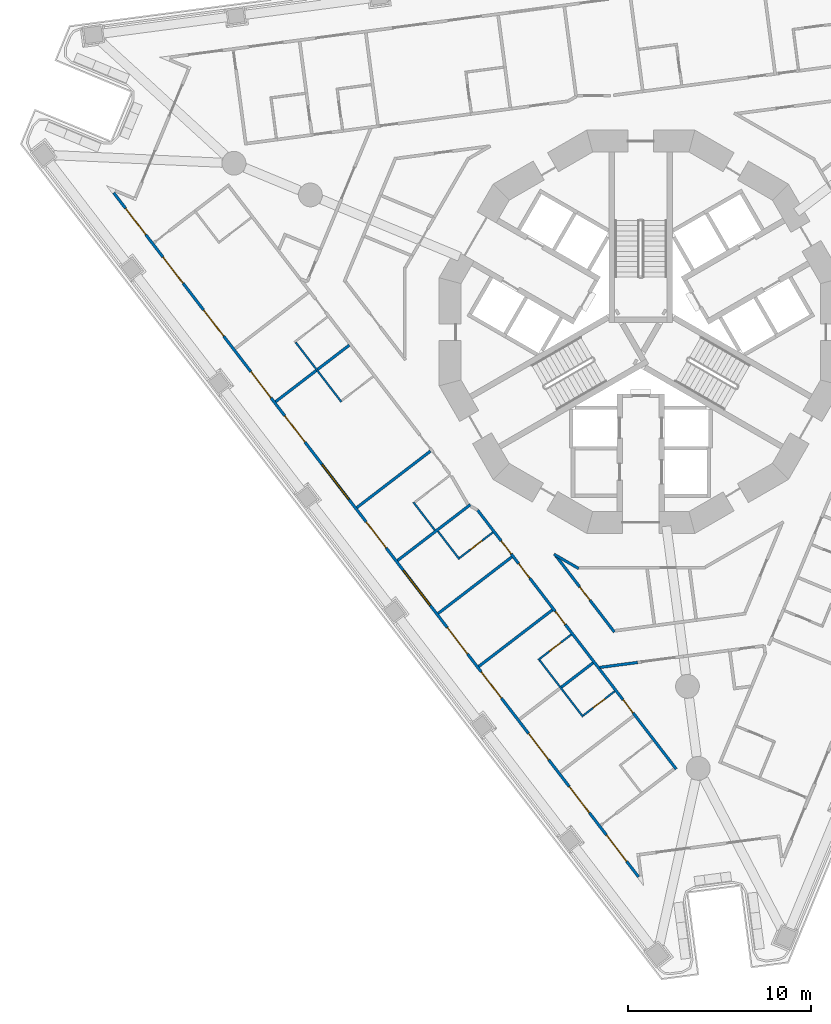
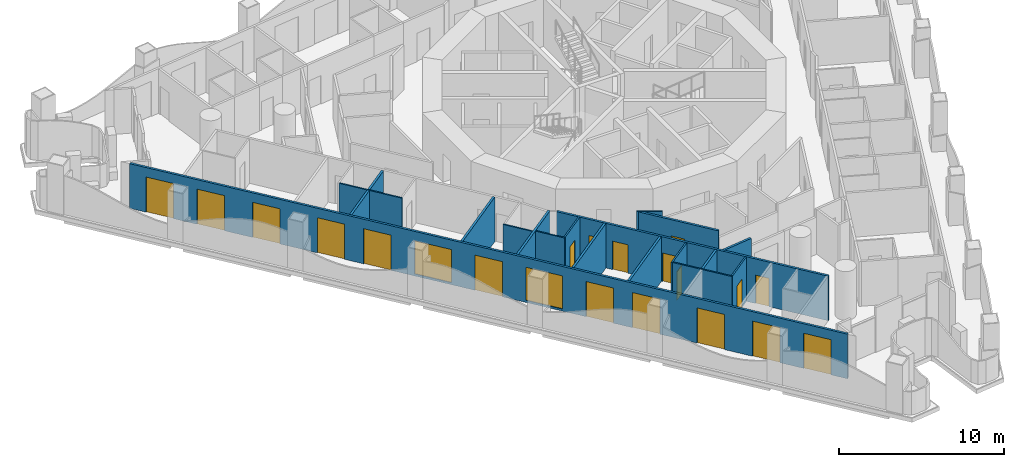
# One storey, part 2 of 19: 19 doors, 18 walls, 2 windows, 21 openings.
"""IFC4 building model written with IfcOpenShell, lengths in metres."""

from ifc_helpers import new_model, si_unit, direction, frame, frame_2d, origin, place, context, subcontext, project, spatial, polyline, rectangle, outline, extrude, material, layer, layer_set, type_object, element, fill, save


model = new_model("IFC4")

# Units and contexts
model_context = context("Model", 3, precision=1e-05, world=origin(), true_north=direction((0.0, 1.0)))
body_context = subcontext(model_context, "Body", "Model", "MODEL_VIEW")
ifc_project = project(units=[si_unit("LENGTHUNIT", "METRE"), si_unit("AREAUNIT", "SQUARE_METRE"), si_unit("VOLUMEUNIT", "CUBIC_METRE"), si_unit("PLANEANGLEUNIT", "RADIAN"), si_unit("MASSUNIT", "GRAM", prefix="KILO")], contexts=[model_context])

# Site, building, storey
site_placement = place(None, origin())
site = spatial("IfcSite", under=ifc_project, at=site_placement, CompositionType="ELEMENT")
building_placement = place(site_placement, origin())
building = spatial("IfcBuilding", under=site, at=building_placement, Name="Trine Commons Tower", CompositionType="ELEMENT")
storey_placement = place(building_placement, frame((0.0, 0.0, 75.60009765625)))
storey = spatial("IfcBuildingStorey", under=building, at=storey_placement, Name="L18", CompositionType="ELEMENT", Elevation=75.60009765625)

# Wall, openings, windows, doors
ifc_material_1 = material(Name="Aluminium-framed insulated wall panel", Category="aluminium")
ifc_layer_1 = layer(ifc_material_1, 0.14990234375)
ifc_layer_set_1 = layer_set([ifc_layer_1], Name="Aluminium-framed insulated wall panel")
wall_type_1 = type_object("IfcWallType", Name="Glazed frame wall 150, EI 60", PredefinedType="SOLIDWALL", material=ifc_layer_set_1)
wall_1_placement = place(storey_placement, frame((79.968994140625, 32.624267578125, 0.0), z_axis=(0.0, 0.0, 1.0), x_axis=(-0.608761526367, 0.793353265585, 0.0)))
wall_1 = element("IfcWall", 1, at=wall_1_placement, inside=storey, type_object=wall_type_1, Name="Glazed frame wall F3", PredefinedType="SOLIDWALL", context=body_context, shape_type="SweptSolid", body=[
    extrude(outline(polyline([(0.1494140625, 0.074951171875), (0.1494140625, -0.074951171875), (47.216796875, -0.074951171875), (47.216796875, 0.074951171875), (0.1494140625, 0.074951171875)])), origin(), (0.0, 0.0, 1.0), 3.2998046875),
])
opening_1_placement = place(wall_1_placement, frame((1.2216796875, 0.0, 0.0)))
opening_1 = element("IfcOpeningElement", 2, at=opening_1_placement, cuts=wall_1, Name="Opening BD-2F3-01", PredefinedType="OPENING", context=body_context, shape_type="SweptSolid", body=[
    extrude(rectangle(XDim=1.800048828125, YDim=2.60009765625, at=frame_2d((0.89990234375, 1.300048828125))), frame((0.0, 0.0849609375, 0.0), z_axis=(0.0, -1.0, 0.0), x_axis=(1.0, 0.0, 0.0)), (0.0, 0.0, 1.0), 0.169921875),
])
opening_2_placement = place(wall_1_placement, frame((4.5654296875, 0.0, 0.0)))
opening_2 = element("IfcOpeningElement", 3, at=opening_2_placement, cuts=wall_1, Name="Opening BD-2F3-02", PredefinedType="OPENING", context=body_context, shape_type="SweptSolid", body=[
    extrude(rectangle(XDim=1.800048828125, YDim=2.60009765625, at=frame_2d((0.89990234375, 1.300048828125))), frame((0.0, 0.0849609375, 0.0), z_axis=(0.0, -1.0, 0.0), x_axis=(1.0, 0.0, 0.0)), (0.0, 0.0, 1.0), 0.169921875),
])
opening_3_placement = place(wall_1_placement, frame((8.208984375, 0.0, 0.0)))
opening_3 = element("IfcOpeningElement", 4, at=opening_3_placement, cuts=wall_1, Name="Opening BD-2F3-03", PredefinedType="OPENING", context=body_context, shape_type="SweptSolid", body=[
    extrude(rectangle(XDim=1.800048828125, YDim=2.60009765625, at=frame_2d((0.89990234375, 1.300048828125))), frame((0.0, 0.0849609375, 0.0), z_axis=(0.0, -1.0, 0.0), x_axis=(1.0, 0.0, 0.0)), (0.0, 0.0, 1.0), 0.169921875),
])
opening_4_placement = place(wall_1_placement, frame((12.45263671875, 0.0, 0.0)))
opening_4 = element("IfcOpeningElement", 5, at=opening_4_placement, cuts=wall_1, Name="Opening BD-2F3-04", PredefinedType="OPENING", context=body_context, shape_type="SweptSolid", body=[
    extrude(rectangle(XDim=1.800048828125, YDim=2.60009765625, at=frame_2d((0.89990234375, 1.300048828125))), frame((0.0, 0.0849609375, 0.0), z_axis=(0.0, -1.0, 0.0), x_axis=(1.0, 0.0, 0.0)), (0.0, 0.0, 1.0), 0.169921875),
])
opening_5_placement = place(wall_1_placement, frame((15.49609375, 0.0, 0.0)))
opening_5 = element("IfcOpeningElement", 6, at=opening_5_placement, cuts=wall_1, Name="Opening BD-2F3-05", PredefinedType="OPENING", context=body_context, shape_type="SweptSolid", body=[
    extrude(rectangle(XDim=1.800048828125, YDim=2.60009765625, at=frame_2d((0.89990234375, 1.300048828125))), frame((0.0, 0.0849609375, 0.0), z_axis=(0.0, -1.0, 0.0), x_axis=(1.0, 0.0, 0.0)), (0.0, 0.0, 1.0), 0.169921875),
])
opening_6_placement = place(wall_1_placement, frame((18.83984375, 0.0, 0.14990234375)))
opening_6 = element("IfcOpeningElement", 7, at=opening_6_placement, cuts=wall_1, Name="Opening W-2F3-06", PredefinedType="OPENING", context=body_context, shape_type="SweptSolid", body=[
    extrude(rectangle(XDim=2.39990234375, YDim=2.449951171875, at=frame_2d((1.199951171875, 1.22509765625))), frame((0.0, 0.0849609375, 0.0), z_axis=(0.0, -1.0, 0.0), x_axis=(1.0, 0.0, 0.0)), (0.0, 0.0, 1.0), 0.169921875),
])
opening_7_placement = place(wall_1_placement, frame((22.783447265625, 0.0, 0.0)))
opening_7 = element("IfcOpeningElement", 8, at=opening_7_placement, cuts=wall_1, Name="Opening BD-2F3-07", PredefinedType="OPENING", context=body_context, shape_type="SweptSolid", body=[
    extrude(rectangle(XDim=1.800048828125, YDim=2.60009765625, at=frame_2d((0.89990234375, 1.300048828125))), frame((0.0, 0.0849609375, 0.0), z_axis=(0.0, -1.0, 0.0), x_axis=(1.0, 0.0, 0.0)), (0.0, 0.0, 1.0), 0.169921875),
])
opening_8_placement = place(wall_1_placement, frame((26.126953125, 0.0, 0.14990234375)))
opening_8 = element("IfcOpeningElement", 9, at=opening_8_placement, cuts=wall_1, Name="Opening W-2F3-08", PredefinedType="OPENING", context=body_context, shape_type="SweptSolid", body=[
    extrude(rectangle(XDim=2.39990234375, YDim=2.449951171875, at=frame_2d((1.199951171875, 1.22509765625))), frame((0.0, 0.0849609375, 0.0), z_axis=(0.0, -1.0, 0.0), x_axis=(1.0, 0.0, 0.0)), (0.0, 0.0, 1.0), 0.169921875),
])
opening_9_placement = place(wall_1_placement, frame((30.070556640625, 0.0, 0.0)))
opening_9 = element("IfcOpeningElement", 10, at=opening_9_placement, cuts=wall_1, Name="Opening BD-2F3-09", PredefinedType="OPENING", context=body_context, shape_type="SweptSolid", body=[
    extrude(rectangle(XDim=1.800048828125, YDim=2.60009765625, at=frame_2d((0.89990234375, 1.300048828125))), frame((0.0, 0.0849609375, 0.0), z_axis=(0.0, -1.0, 0.0), x_axis=(1.0, 0.0, 0.0)), (0.0, 0.0, 1.0), 0.169921875),
])
opening_10_placement = place(wall_1_placement, frame((33.1142578125, 0.0, 0.0)))
opening_10 = element("IfcOpeningElement", 11, at=opening_10_placement, cuts=wall_1, Name="Opening BD-2F3-10", PredefinedType="OPENING", context=body_context, shape_type="SweptSolid", body=[
    extrude(rectangle(XDim=1.800048828125, YDim=2.60009765625, at=frame_2d((0.89990234375, 1.300048828125))), frame((0.0, 0.0849609375, 0.0), z_axis=(0.0, -1.0, 0.0), x_axis=(1.0, 0.0, 0.0)), (0.0, 0.0, 1.0), 0.169921875),
])
opening_11_placement = place(wall_1_placement, frame((37.35791015625, 0.0, 0.0)))
opening_11 = element("IfcOpeningElement", 12, at=opening_11_placement, cuts=wall_1, Name="Opening BD-2F3-11", PredefinedType="OPENING", context=body_context, shape_type="SweptSolid", body=[
    extrude(rectangle(XDim=1.800048828125, YDim=2.60009765625, at=frame_2d((0.89990234375, 1.300048828125))), frame((0.0, 0.0849609375, 0.0), z_axis=(0.0, -1.0, 0.0), x_axis=(1.0, 0.0, 0.0)), (0.0, 0.0, 1.0), 0.169921875),
])
opening_12_placement = place(wall_1_placement, frame((41.00146484375, 0.0, 0.0)))
opening_12 = element("IfcOpeningElement", 13, at=opening_12_placement, cuts=wall_1, Name="Opening BD-2F3-12", PredefinedType="OPENING", context=body_context, shape_type="SweptSolid", body=[
    extrude(rectangle(XDim=1.800048828125, YDim=2.60009765625, at=frame_2d((0.89990234375, 1.300048828125))), frame((0.0, 0.0849609375, 0.0), z_axis=(0.0, -1.0, 0.0), x_axis=(1.0, 0.0, 0.0)), (0.0, 0.0, 1.0), 0.169921875),
])
opening_13_placement = place(wall_1_placement, frame((44.344970703125, 0.0, 0.0)))
opening_13 = element("IfcOpeningElement", 14, at=opening_13_placement, cuts=wall_1, Name="Opening BD-2F3-13", PredefinedType="OPENING", context=body_context, shape_type="SweptSolid", body=[
    extrude(rectangle(XDim=1.800048828125, YDim=2.60009765625, at=frame_2d((0.89990234375, 1.300048828125))), frame((0.0, 0.0849609375, 0.0), z_axis=(0.0, -1.0, 0.0), x_axis=(1.0, 0.0, 0.0)), (0.0, 0.0, 1.0), 0.169921875),
])
ifc_material_2 = material(Name="Anodised aluminium frame with double glazing", Category="aluminium")
window_type = type_object("IfcWindowType", Name="Fixed window 2400x2450", PartitioningType="SINGLE_PANEL", PredefinedType="WINDOW", material=ifc_material_2)
window_1_placement = place(opening_6_placement, origin())
window_1 = element("IfcWindow", 15, at=window_1_placement, inside=storey, type_object=window_type, Name="Window F3 6", OverallHeight=2.449951171875, OverallWidth=2.39990234375, PartitioningType="SINGLE_PANEL", PredefinedType="WINDOW", context=body_context, shape_type="SweptSolid", body=[
    extrude(rectangle(XDim=2.39990234375, YDim=2.449951171875, at=frame_2d((1.199951171875, 1.22509765625))), frame((0.0, 0.030029296875, 0.0), z_axis=(0.0, -1.0, 0.0), x_axis=(1.0, 0.0, 0.0)), (0.0, 0.0, 1.0), 0.06005859375),
])
fill(opening_6, window_1)
window_2_placement = place(opening_8_placement, origin())
window_2 = element("IfcWindow", 16, at=window_2_placement, inside=storey, type_object=window_type, Name="Window F3 8", OverallHeight=2.449951171875, OverallWidth=2.39990234375, PartitioningType="SINGLE_PANEL", PredefinedType="WINDOW", context=body_context, shape_type="SweptSolid", body=[
    extrude(rectangle(XDim=2.39990234375, YDim=2.449951171875, at=frame_2d((1.199951171875, 1.22509765625))), frame((0.0, 0.030029296875, 0.0), z_axis=(0.0, -1.0, 0.0), x_axis=(1.0, 0.0, 0.0)), (0.0, 0.0, 1.0), 0.06005859375),
])
fill(opening_8, window_2)
door_type_1 = type_object("IfcDoorType", Name="Sliding loggia door 1800x2600", OperationType="SLIDING_TO_LEFT", PredefinedType="DOOR", material=ifc_material_2)
door_1_placement = place(opening_1_placement, origin())
door_1 = element("IfcDoor", 17, at=door_1_placement, inside=storey, type_object=door_type_1, Name="Loggia door F3 1", OperationType="SLIDING_TO_LEFT", OverallHeight=2.60009765625, OverallWidth=1.800048828125, PredefinedType="DOOR", context=body_context, shape_type="SweptSolid", body=[
    extrude(rectangle(XDim=1.800048828125, YDim=2.60009765625, at=frame_2d((0.89990234375, 1.300048828125))), frame((0.0, 0.02490234375, 0.0), z_axis=(0.0, -1.0, 0.0), x_axis=(1.0, 0.0, 0.0)), (0.0, 0.0, 1.0), 0.050048828125),
])
fill(opening_1, door_1)
door_2_placement = place(opening_2_placement, origin())
door_2 = element("IfcDoor", 18, at=door_2_placement, inside=storey, type_object=door_type_1, Name="Loggia door F3 2", OperationType="SLIDING_TO_LEFT", OverallHeight=2.60009765625, OverallWidth=1.800048828125, PredefinedType="DOOR", context=body_context, shape_type="SweptSolid", body=[
    extrude(rectangle(XDim=1.800048828125, YDim=2.60009765625, at=frame_2d((0.89990234375, 1.300048828125))), frame((0.0, 0.02490234375, 0.0), z_axis=(0.0, -1.0, 0.0), x_axis=(1.0, 0.0, 0.0)), (0.0, 0.0, 1.0), 0.050048828125),
])
fill(opening_2, door_2)
door_3_placement = place(opening_3_placement, origin())
door_3 = element("IfcDoor", 19, at=door_3_placement, inside=storey, type_object=door_type_1, Name="Loggia door F3 3", OperationType="SLIDING_TO_LEFT", OverallHeight=2.60009765625, OverallWidth=1.800048828125, PredefinedType="DOOR", context=body_context, shape_type="SweptSolid", body=[
    extrude(rectangle(XDim=1.800048828125, YDim=2.60009765625, at=frame_2d((0.89990234375, 1.300048828125))), frame((0.0, 0.02490234375, 0.0), z_axis=(0.0, -1.0, 0.0), x_axis=(1.0, 0.0, 0.0)), (0.0, 0.0, 1.0), 0.050048828125),
])
fill(opening_3, door_3)
door_4_placement = place(opening_4_placement, origin())
door_4 = element("IfcDoor", 20, at=door_4_placement, inside=storey, type_object=door_type_1, Name="Loggia door F3 4", OperationType="SLIDING_TO_LEFT", OverallHeight=2.60009765625, OverallWidth=1.800048828125, PredefinedType="DOOR", context=body_context, shape_type="SweptSolid", body=[
    extrude(rectangle(XDim=1.800048828125, YDim=2.60009765625, at=frame_2d((0.89990234375, 1.300048828125))), frame((0.0, 0.02490234375, 0.0), z_axis=(0.0, -1.0, 0.0), x_axis=(1.0, 0.0, 0.0)), (0.0, 0.0, 1.0), 0.050048828125),
])
fill(opening_4, door_4)
door_5_placement = place(opening_5_placement, origin())
door_5 = element("IfcDoor", 21, at=door_5_placement, inside=storey, type_object=door_type_1, Name="Loggia door F3 5", OperationType="SLIDING_TO_LEFT", OverallHeight=2.60009765625, OverallWidth=1.800048828125, PredefinedType="DOOR", context=body_context, shape_type="SweptSolid", body=[
    extrude(rectangle(XDim=1.800048828125, YDim=2.60009765625, at=frame_2d((0.89990234375, 1.300048828125))), frame((0.0, 0.02490234375, 0.0), z_axis=(0.0, -1.0, 0.0), x_axis=(1.0, 0.0, 0.0)), (0.0, 0.0, 1.0), 0.050048828125),
])
fill(opening_5, door_5)
door_6_placement = place(opening_7_placement, origin())
door_6 = element("IfcDoor", 22, at=door_6_placement, inside=storey, type_object=door_type_1, Name="Loggia door F3 7", OperationType="SLIDING_TO_LEFT", OverallHeight=2.60009765625, OverallWidth=1.800048828125, PredefinedType="DOOR", context=body_context, shape_type="SweptSolid", body=[
    extrude(rectangle(XDim=1.800048828125, YDim=2.60009765625, at=frame_2d((0.89990234375, 1.300048828125))), frame((0.0, 0.02490234375, 0.0), z_axis=(0.0, -1.0, 0.0), x_axis=(1.0, 0.0, 0.0)), (0.0, 0.0, 1.0), 0.050048828125),
])
fill(opening_7, door_6)
door_7_placement = place(opening_9_placement, origin())
door_7 = element("IfcDoor", 23, at=door_7_placement, inside=storey, type_object=door_type_1, Name="Loggia door F3 9", OperationType="SLIDING_TO_LEFT", OverallHeight=2.60009765625, OverallWidth=1.800048828125, PredefinedType="DOOR", context=body_context, shape_type="SweptSolid", body=[
    extrude(rectangle(XDim=1.800048828125, YDim=2.60009765625, at=frame_2d((0.89990234375, 1.300048828125))), frame((0.0, 0.02490234375, 0.0), z_axis=(0.0, -1.0, 0.0), x_axis=(1.0, 0.0, 0.0)), (0.0, 0.0, 1.0), 0.050048828125),
])
fill(opening_9, door_7)
door_8_placement = place(opening_10_placement, origin())
door_8 = element("IfcDoor", 24, at=door_8_placement, inside=storey, type_object=door_type_1, Name="Loggia door F3 10", OperationType="SLIDING_TO_LEFT", OverallHeight=2.60009765625, OverallWidth=1.800048828125, PredefinedType="DOOR", context=body_context, shape_type="SweptSolid", body=[
    extrude(rectangle(XDim=1.800048828125, YDim=2.60009765625, at=frame_2d((0.89990234375, 1.300048828125))), frame((0.0, 0.02490234375, 0.0), z_axis=(0.0, -1.0, 0.0), x_axis=(1.0, 0.0, 0.0)), (0.0, 0.0, 1.0), 0.050048828125),
])
fill(opening_10, door_8)
door_9_placement = place(opening_11_placement, origin())
door_9 = element("IfcDoor", 25, at=door_9_placement, inside=storey, type_object=door_type_1, Name="Loggia door F3 11", OperationType="SLIDING_TO_LEFT", OverallHeight=2.60009765625, OverallWidth=1.800048828125, PredefinedType="DOOR", context=body_context, shape_type="SweptSolid", body=[
    extrude(rectangle(XDim=1.800048828125, YDim=2.60009765625, at=frame_2d((0.89990234375, 1.300048828125))), frame((0.0, 0.02490234375, 0.0), z_axis=(0.0, -1.0, 0.0), x_axis=(1.0, 0.0, 0.0)), (0.0, 0.0, 1.0), 0.050048828125),
])
fill(opening_11, door_9)
door_10_placement = place(opening_12_placement, origin())
door_10 = element("IfcDoor", 26, at=door_10_placement, inside=storey, type_object=door_type_1, Name="Loggia door F3 12", OperationType="SLIDING_TO_LEFT", OverallHeight=2.60009765625, OverallWidth=1.800048828125, PredefinedType="DOOR", context=body_context, shape_type="SweptSolid", body=[
    extrude(rectangle(XDim=1.800048828125, YDim=2.60009765625, at=frame_2d((0.89990234375, 1.300048828125))), frame((0.0, 0.02490234375, 0.0), z_axis=(0.0, -1.0, 0.0), x_axis=(1.0, 0.0, 0.0)), (0.0, 0.0, 1.0), 0.050048828125),
])
fill(opening_12, door_10)
door_11_placement = place(opening_13_placement, origin())
door_11 = element("IfcDoor", 27, at=door_11_placement, inside=storey, type_object=door_type_1, Name="Loggia door F3 13", OperationType="SLIDING_TO_LEFT", OverallHeight=2.60009765625, OverallWidth=1.800048828125, PredefinedType="DOOR", context=body_context, shape_type="SweptSolid", body=[
    extrude(rectangle(XDim=1.800048828125, YDim=2.60009765625, at=frame_2d((0.89990234375, 1.300048828125))), frame((0.0, 0.02490234375, 0.0), z_axis=(0.0, -1.0, 0.0), x_axis=(1.0, 0.0, 0.0)), (0.0, 0.0, 1.0), 0.050048828125),
])
fill(opening_13, door_11)

# Walls
ifc_material_3 = material(Name="Gypsum plasterboard on steel stud", Category="steel")
ifc_layer_2 = layer(ifc_material_3, 0.14990234375)
ifc_layer_set_2 = layer_set([ifc_layer_2], Name="Gypsum plasterboard on steel stud")
wall_type_2 = type_object("IfcWallType", Name="Unit and corridor wall 150 mm, EI 60", PredefinedType="PARTITIONING", material=ifc_layer_set_2)
wall_2_placement = place(storey_placement, frame((60.065673828125, 58.686279296875, 0.0), z_axis=(0.0, 0.0, 1.0), x_axis=(0.793444149255, 0.608643066184, 0.0)))
element("IfcWall", 28, at=wall_2_placement, inside=storey, type_object=wall_type_2, Name="Partition 011", PredefinedType="PARTITIONING", context=body_context, shape_type="SweptSolid", body=[
    extrude(rectangle(XDim=5.063720703125, YDim=0.14990234375, at=frame_2d((2.53173828125, 0.0))), origin(), (0.0, 0.0, 1.0), 3.2998046875),
])
wall_3_placement = place(storey_placement, frame((64.501708984375, 52.904296875, 0.0), z_axis=(0.0, 0.0, 1.0), x_axis=(0.793351017656, 0.608764455913, 0.0)))
element("IfcWall", 29, at=wall_3_placement, inside=storey, type_object=wall_type_2, Name="Partition 030", PredefinedType="PARTITIONING", context=body_context, shape_type="SweptSolid", body=[
    extrude(rectangle(XDim=5.064453125, YDim=0.14990234375, at=frame_2d((2.5322265625, 0.0))), origin(), (0.0, 0.0, 1.0), 3.2998046875),
])
wall_4_placement = place(storey_placement, frame((66.7197265625, 50.014404296875, 0.0), z_axis=(0.0, 0.0, 1.0), x_axis=(0.793383103562, 0.608722638796, 0.0)))
element("IfcWall", 30, at=wall_4_placement, inside=storey, type_object=wall_type_2, Name="Partition 038", PredefinedType="PARTITIONING", context=body_context, shape_type="SweptSolid", body=[
    extrude(rectangle(XDim=5.017333984375, YDim=0.14990234375, at=frame_2d((2.5087890625, 0.0))), origin(), (0.0, 0.0, 1.0), 3.2998046875),
])
wall_5_placement = place(storey_placement, frame((68.937744140625, 47.123291015625, 0.0), z_axis=(0.0, 0.0, 1.0), x_axis=(0.793351017656, 0.608764455913, 0.0)))
element("IfcWall", 31, at=wall_5_placement, inside=storey, type_object=wall_type_2, Name="Partition 046", PredefinedType="PARTITIONING", context=body_context, shape_type="SweptSolid", body=[
    extrude(rectangle(XDim=5.064453125, YDim=0.14990234375, at=frame_2d((2.5322265625, 0.0))), origin(), (0.0, 0.0, 1.0), 3.2998046875),
])

# Wall, openings, doors
wall_6_placement = place(storey_placement, frame((71.087890625, 52.76611328125, 0.0), z_axis=(0.0, 0.0, 1.0), x_axis=(0.608663951432, -0.793428127953, 0.0)))
wall_6 = element("IfcWall", 32, at=wall_6_placement, inside=storey, type_object=wall_type_2, Name="Partition 054", PredefinedType="PARTITIONING", context=body_context, shape_type="SweptSolid", body=[
    extrude(rectangle(XDim=17.8173828125, YDim=0.14990234375, at=frame_2d((8.90869140625, 0.0))), origin(), (0.0, 0.0, 1.0), 3.2998046875),
])
opening_14_placement = place(wall_6_placement, frame((13.048095703125, 0.0, 0.0)))
opening_14 = element("IfcOpeningElement", 33, at=opening_14_placement, cuts=wall_6, Name="Opening D-2C25", PredefinedType="OPENING", context=body_context, shape_type="SweptSolid", body=[
    extrude(rectangle(XDim=0.89990234375, YDim=2.10009765625, at=frame_2d((0.449951171875, 1.050048828125))), frame((0.0, 0.0849609375, 0.0), z_axis=(0.0, -1.0, 0.0), x_axis=(1.0, 0.0, 0.0)), (0.0, 0.0, 1.0), 0.169921875),
])
opening_15_placement = place(wall_6_placement, frame((6.96142578125, 0.0, 0.0)))
opening_15 = element("IfcOpeningElement", 34, at=opening_15_placement, cuts=wall_6, Name="Opening D-2C26", PredefinedType="OPENING", context=body_context, shape_type="SweptSolid", body=[
    extrude(rectangle(XDim=0.89990234375, YDim=2.10009765625, at=frame_2d((0.449951171875, 1.050048828125))), frame((0.0, 0.0849609375, 0.0), z_axis=(0.0, -1.0, 0.0), x_axis=(1.0, 0.0, 0.0)), (0.0, 0.0, 1.0), 0.169921875),
])
opening_16_placement = place(wall_6_placement, frame((3.68603515625, 0.0, 0.0)))
opening_16 = element("IfcOpeningElement", 35, at=opening_16_placement, cuts=wall_6, Name="Opening D-2C27", PredefinedType="OPENING", context=body_context, shape_type="SweptSolid", body=[
    extrude(rectangle(XDim=1.0, YDim=2.10009765625, at=frame_2d((0.5, 1.050048828125))), frame((0.0, 0.0849609375, 0.0), z_axis=(0.0, -1.0, 0.0), x_axis=(1.0, 0.0, 0.0)), (0.0, 0.0, 1.0), 0.169921875),
])
opening_17_placement = place(wall_6_placement, frame((2.11767578125, 0.0, 0.0)))
opening_17 = element("IfcOpeningElement", 36, at=opening_17_placement, cuts=wall_6, Name="Opening D-2C28", PredefinedType="OPENING", context=body_context, shape_type="SweptSolid", body=[
    extrude(rectangle(XDim=0.89990234375, YDim=2.10009765625, at=frame_2d((0.449951171875, 1.050048828125))), frame((0.0, 0.0849609375, 0.0), z_axis=(0.0, -1.0, 0.0), x_axis=(1.0, 0.0, 0.0)), (0.0, 0.0, 1.0), 0.169921875),
])
ifc_material_4 = material(Name="Painted timber", Category="wood")
door_type_2 = type_object("IfcDoorType", Name="Amenity room door 1000 x 2100, NOT RATED", OperationType="NOTDEFINED", PredefinedType="DOOR", material=ifc_material_4)
door_12_placement = place(opening_16_placement, frame((1.0, 0.0, 0.0), z_axis=(0.0, 0.0, 1.0), x_axis=(-1.0, 0.0, 0.0)))
door_12 = element("IfcDoor", 37, at=door_12_placement, inside=storey, type_object=door_type_2, Name="Door D-2C27", OperationType="SINGLE_SWING_RIGHT", OverallHeight=2.10009765625, OverallWidth=1.0, PredefinedType="DOOR", context=body_context, shape_type="SweptSolid", body=[
    extrude(rectangle(XDim=1.0, YDim=2.10009765625, at=frame_2d((0.5, 1.050048828125))), frame((0.0, 0.02490234375, 0.0), z_axis=(0.0, -1.0, 0.0), x_axis=(1.0, 0.0, 0.0)), (0.0, 0.0, 1.0), 0.050048828125),
])
fill(opening_16, door_12)
ifc_material_5 = material(Name="Timber fire door set", Category="wood")
door_type_3 = type_object("IfcDoorType", Name="Bedroom door 900 x 2100, FD30S", OperationType="NOTDEFINED", PredefinedType="DOOR", material=ifc_material_5)
door_13_placement = place(opening_14_placement, frame((0.89990234375, 0.0, 0.0), z_axis=(0.0, 0.0, 1.0), x_axis=(-1.0, 0.0, 0.0)))
door_13 = element("IfcDoor", 38, at=door_13_placement, inside=storey, type_object=door_type_3, Name="Door D-2C25", OperationType="SINGLE_SWING_LEFT", OverallHeight=2.10009765625, OverallWidth=0.89990234375, PredefinedType="DOOR", context=body_context, shape_type="SweptSolid", body=[
    extrude(rectangle(XDim=0.89990234375, YDim=2.10009765625, at=frame_2d((0.449951171875, 1.050048828125))), frame((0.0, 0.02490234375, 0.0), z_axis=(0.0, -1.0, 0.0), x_axis=(1.0, 0.0, 0.0)), (0.0, 0.0, 1.0), 0.050048828125),
])
fill(opening_14, door_13)
door_14_placement = place(opening_15_placement, frame((0.89990234375, 0.0, 0.0), z_axis=(0.0, 0.0, 1.0), x_axis=(-1.0, 0.0, 0.0)))
door_14 = element("IfcDoor", 39, at=door_14_placement, inside=storey, type_object=door_type_3, Name="Door D-2C26", OperationType="SINGLE_SWING_RIGHT", OverallHeight=2.10009765625, OverallWidth=0.89990234375, PredefinedType="DOOR", context=body_context, shape_type="SweptSolid", body=[
    extrude(rectangle(XDim=0.89990234375, YDim=2.10009765625, at=frame_2d((0.449951171875, 1.050048828125))), frame((0.0, 0.02490234375, 0.0), z_axis=(0.0, -1.0, 0.0), x_axis=(1.0, 0.0, 0.0)), (0.0, 0.0, 1.0), 0.050048828125),
])
fill(opening_15, door_14)
door_15_placement = place(opening_17_placement, frame((0.89990234375, 0.0, 0.0), z_axis=(0.0, 0.0, 1.0), x_axis=(-1.0, 0.0, 0.0)))
door_15 = element("IfcDoor", 40, at=door_15_placement, inside=storey, type_object=door_type_3, Name="Door D-2C28", OperationType="SINGLE_SWING_RIGHT", OverallHeight=2.10009765625, OverallWidth=0.89990234375, PredefinedType="DOOR", context=body_context, shape_type="SweptSolid", body=[
    extrude(rectangle(XDim=0.89990234375, YDim=2.10009765625, at=frame_2d((0.449951171875, 1.050048828125))), frame((0.0, 0.02490234375, 0.0), z_axis=(0.0, -1.0, 0.0), x_axis=(1.0, 0.0, 0.0)), (0.0, 0.0, 1.0), 0.050048828125),
])
fill(opening_17, door_15)

# Walls
wall_7_placement = place(storey_placement, frame((71.15576171875, 44.232421875, 0.0), z_axis=(0.0, 0.0, 1.0), x_axis=(0.793374300247, 0.608734112488, 0.0)))
element("IfcWall", 41, at=wall_7_placement, inside=storey, type_object=wall_type_2, Name="Partition 055", PredefinedType="PARTITIONING", context=body_context, shape_type="SweptSolid", body=[
    extrude(rectangle(XDim=5.064208984375, YDim=0.14990234375, at=frame_2d((2.5322265625, 0.0))), origin(), (0.0, 0.0, 1.0), 3.2998046875),
])
wall_8_placement = place(storey_placement, frame((75.260986328125, 50.35546875, 0.0), z_axis=(0.0, 0.0, 1.0), x_axis=(0.866029224906, -0.499993381564, 0.0)))
element("IfcWall", 42, at=wall_8_placement, inside=storey, type_object=wall_type_2, Name="Partition 062", PredefinedType="PARTITIONING", context=body_context, shape_type="SweptSolid", body=[
    extrude(rectangle(XDim=1.56005859375, YDim=0.14990234375, at=frame_2d((0.780029296875, 0.0))), origin(), (0.0, 0.0, 1.0), 3.2998046875),
])

# Wall, opening, door
wall_9_placement = place(storey_placement, frame((75.373779296875, 50.257568359375, 0.0), z_axis=(0.0, 0.0, 1.0), x_axis=(0.608769592338, -0.793347076282, 0.0)))
wall_9 = element("IfcWall", 43, at=wall_9_placement, inside=storey, type_object=wall_type_2, Name="Partition 063", PredefinedType="PARTITIONING", context=body_context, shape_type="SweptSolid", body=[
    extrude(rectangle(XDim=5.22998046875, YDim=0.14990234375, at=frame_2d((2.614990234375, 0.0))), origin(), (0.0, 0.0, 1.0), 3.2998046875),
])
opening_18_placement = place(wall_9_placement, frame((2.12744140625, 0.0, 0.0)))
opening_18 = element("IfcOpeningElement", 44, at=opening_18_placement, cuts=wall_9, Name="Opening D-2C37", PredefinedType="OPENING", context=body_context, shape_type="SweptSolid", body=[
    extrude(rectangle(XDim=0.89990234375, YDim=2.10009765625, at=frame_2d((0.449951171875, 1.050048828125))), frame((0.0, 0.0849609375, 0.0), z_axis=(0.0, -1.0, 0.0), x_axis=(1.0, 0.0, 0.0)), (0.0, 0.0, 1.0), 0.169921875),
])
door_type_4 = type_object("IfcDoorType", Name="Service door 900 x 2100, FD30S", OperationType="NOTDEFINED", PredefinedType="DOOR", material=ifc_material_5)
door_16_placement = place(opening_18_placement, origin())
door_16 = element("IfcDoor", 45, at=door_16_placement, inside=storey, type_object=door_type_4, Name="Door D-2C37", OperationType="SINGLE_SWING_LEFT", OverallHeight=2.10009765625, OverallWidth=0.89990234375, PredefinedType="DOOR", context=body_context, shape_type="SweptSolid", body=[
    extrude(rectangle(XDim=0.89990234375, YDim=2.10009765625, at=frame_2d((0.449951171875, 1.050048828125))), frame((0.0, 0.02490234375, 0.0), z_axis=(0.0, -1.0, 0.0), x_axis=(1.0, 0.0, 0.0)), (0.0, 0.0, 1.0), 0.050048828125),
])
fill(opening_18, door_16)

# Walls
wall_10_placement = place(storey_placement, frame((75.666748046875, 43.100341796875, 0.0), z_axis=(0.0, 0.0, 1.0), x_axis=(0.793253832781, 0.608891087781, 0.0)))
element("IfcWall", 46, at=wall_10_placement, inside=storey, type_object=wall_type_2, Name="Partition 065", PredefinedType="PARTITIONING", context=body_context, shape_type="SweptSolid", body=[
    extrude(rectangle(XDim=2.17431640625, YDim=0.14990234375, at=frame_2d((1.087158203125, 0.0))), origin(), (0.0, 0.0, 1.0), 3.2998046875),
])
wall_11_placement = place(storey_placement, frame((77.75732421875, 44.177734375, 0.0), z_axis=(0.0, 0.0, 1.0), x_axis=(0.99142565409, 0.130672003172, 0.0)))
element("IfcWall", 47, at=wall_11_placement, inside=storey, type_object=wall_type_2, Name="Partition 071", PredefinedType="PARTITIONING", context=body_context, shape_type="SweptSolid", body=[
    extrude(rectangle(XDim=2.090576171875, YDim=0.14990234375, at=frame_2d((1.04541015625, 0.0))), origin(), (0.0, 0.0, 1.0), 3.2998046875),
])
ifc_layer_3 = layer(ifc_material_3, 0.10009765625)
ifc_layer_set_3 = layer_set([ifc_layer_3], Name="Gypsum plasterboard on steel stud")
wall_type_3 = type_object("IfcWallType", Name="Unit partition 100 mm, no rating", PredefinedType="PARTITIONING", material=ifc_layer_set_3)
wall_12_placement = place(storey_placement, frame((61.161376953125, 61.92138671875, 0.0), z_axis=(0.0, 0.0, 1.0), x_axis=(0.608737740177, -0.793371516809, 0.0)))
element("IfcWall", 48, at=wall_12_placement, inside=storey, type_object=wall_type_3, Name="Partition 016", PredefinedType="PARTITIONING", context=body_context, shape_type="SweptSolid", body=[
    extrude(rectangle(XDim=4.100341796875, YDim=0.10009765625, at=frame_2d((2.05029296875, 0.0))), origin(), (0.0, 0.0, 1.0), 3.2998046875),
])
wall_13_placement = place(storey_placement, frame((67.584716796875, 53.19873046875, 0.0), z_axis=(0.0, 0.0, 1.0), x_axis=(0.608404928037, -0.793626765892, 0.0)))
element("IfcWall", 49, at=wall_13_placement, inside=storey, type_object=wall_type_3, Name="Partition 042", PredefinedType="PARTITIONING", context=body_context, shape_type="SweptSolid", body=[
    extrude(rectangle(XDim=1.92578125, YDim=0.10009765625, at=frame_2d((0.962890625, 0.0))), origin(), (0.0, 0.0, 1.0), 3.2998046875),
])
wall_14_placement = place(storey_placement, frame((68.9248046875, 51.611572265625, 0.0), z_axis=(0.0, 0.0, 1.0), x_axis=(0.608649853766, -0.793438942522, 0.0)))
element("IfcWall", 50, at=wall_14_placement, inside=storey, type_object=wall_type_3, Name="Partition 045", PredefinedType="PARTITIONING", context=body_context, shape_type="SweptSolid", body=[
    extrude(rectangle(XDim=1.925048828125, YDim=0.10009765625, at=frame_2d((0.96240234375, 0.0))), origin(), (0.0, 0.0, 1.0), 3.2998046875),
])

# Wall, opening, door
wall_15_placement = place(storey_placement, frame((70.105712890625, 50.154296875, 0.0), z_axis=(0.0, 0.0, 1.0), x_axis=(0.793486347076, 0.608588051972, 0.0)))
wall_15 = element("IfcWall", 51, at=wall_15_placement, inside=storey, type_object=wall_type_3, Name="Partition 048", PredefinedType="PARTITIONING", context=body_context, shape_type="SweptSolid", body=[
    extrude(rectangle(XDim=2.292236328125, YDim=0.10009765625, at=frame_2d((1.14599609375, 0.0))), origin(), (0.0, 0.0, 1.0), 3.2998046875),
])
opening_19_placement = place(wall_15_placement, frame((0.74609375, 0.0, 0.0)))
opening_19 = element("IfcOpeningElement", 52, at=opening_19_placement, cuts=wall_15, Name="Opening D-2C60", PredefinedType="OPENING", context=body_context, shape_type="SweptSolid", body=[
    extrude(rectangle(XDim=0.800048828125, YDim=2.10009765625, at=frame_2d((0.39990234375, 1.050048828125))), frame((0.0, 0.06005859375, 0.0), z_axis=(0.0, -1.0, 0.0), x_axis=(1.0, 0.0, 0.0)), (0.0, 0.0, 1.0), 0.1201171875),
])
door_type_5 = type_object("IfcDoorType", Name="Internal door 800 x 2100, NOT RATED", OperationType="NOTDEFINED", PredefinedType="DOOR", material=ifc_material_4)
door_17_placement = place(opening_19_placement, frame((0.800048828125, 0.0, 0.0), z_axis=(0.0, 0.0, 1.0), x_axis=(-1.0, 0.0, 0.0)))
door_17 = element("IfcDoor", 53, at=door_17_placement, inside=storey, type_object=door_type_5, Name="Door D-2C60", OperationType="SINGLE_SWING_LEFT", OverallHeight=2.10009765625, OverallWidth=0.800048828125, PredefinedType="DOOR", context=body_context, shape_type="SweptSolid", body=[
    extrude(rectangle(XDim=0.800048828125, YDim=2.10009765625, at=frame_2d((0.39990234375, 1.050048828125))), frame((0.0, 0.02490234375, 0.0), z_axis=(0.0, -1.0, 0.0), x_axis=(1.0, 0.0, 0.0)), (0.0, 0.0, 1.0), 0.050048828125),
])
fill(opening_19, door_17)

wall_16_placement = place(storey_placement, frame((74.3994140625, 44.586669921875, 0.0), z_axis=(0.0, 0.0, 1.0), x_axis=(0.793437070432, 0.608652294224, 0.0)))
wall_16 = element("IfcWall", 54, at=wall_16_placement, inside=storey, type_object=wall_type_3, Name="Partition 060", PredefinedType="PARTITIONING", context=body_context, shape_type="SweptSolid", body=[
    extrude(rectangle(XDim=2.275146484375, YDim=0.10009765625, at=frame_2d((1.1376953125, 0.0))), origin(), (0.0, 0.0, 1.0), 3.2998046875),
])
opening_20_placement = place(wall_16_placement, frame((0.762451171875, 0.0, 0.0)))
opening_20 = element("IfcOpeningElement", 55, at=opening_20_placement, cuts=wall_16, Name="Opening D-2C59", PredefinedType="OPENING", context=body_context, shape_type="SweptSolid", body=[
    extrude(rectangle(XDim=0.800048828125, YDim=2.10009765625, at=frame_2d((0.39990234375, 1.050048828125))), frame((0.0, 0.06005859375, 0.0), z_axis=(0.0, -1.0, 0.0), x_axis=(1.0, 0.0, 0.0)), (0.0, 0.0, 1.0), 0.1201171875),
])
door_18_placement = place(opening_20_placement, origin())
door_18 = element("IfcDoor", 56, at=door_18_placement, inside=storey, type_object=door_type_5, Name="Door D-2C59", OperationType="SINGLE_SWING_RIGHT", OverallHeight=2.10009765625, OverallWidth=0.800048828125, PredefinedType="DOOR", context=body_context, shape_type="SweptSolid", body=[
    extrude(rectangle(XDim=0.800048828125, YDim=2.10009765625, at=frame_2d((0.39990234375, 1.050048828125))), frame((0.0, 0.02490234375, 0.0), z_axis=(0.0, -1.0, 0.0), x_axis=(1.0, 0.0, 0.0)), (0.0, 0.0, 1.0), 0.050048828125),
])
fill(opening_20, door_18)

# Wall
wall_17_placement = place(storey_placement, frame((74.469482421875, 44.577392578125, 0.0), z_axis=(0.0, 0.0, 1.0), x_axis=(0.608905811043, -0.793242531183, 0.0)))
element("IfcWall", 57, at=wall_17_placement, inside=storey, type_object=wall_type_3, Name="Partition 061", PredefinedType="PARTITIONING", context=body_context, shape_type="SweptSolid", body=[
    extrude(rectangle(XDim=3.900390625, YDim=0.10009765625, at=frame_2d((1.9501953125, 0.0))), origin(), (0.0, 0.0, 1.0), 3.2998046875),
])

# Wall, opening, door
wall_18_placement = place(storey_placement, frame((76.853759765625, 41.553466796875, 0.0), z_axis=(0.0, 0.0, 1.0), x_axis=(0.793308064866, 0.608820428549, 0.0)))
wall_18 = element("IfcWall", 58, at=wall_18_placement, inside=storey, type_object=wall_type_3, Name="Partition 070", PredefinedType="PARTITIONING", context=body_context, shape_type="SweptSolid", body=[
    extrude(rectangle(XDim=2.17431640625, YDim=0.10009765625, at=frame_2d((1.087158203125, 0.0))), origin(), (0.0, 0.0, 1.0), 3.2998046875),
])
opening_21_placement = place(wall_18_placement, frame((0.687255859375, 0.0, 0.0)))
opening_21 = element("IfcOpeningElement", 59, at=opening_21_placement, cuts=wall_18, Name="Opening D-2C58", PredefinedType="OPENING", context=body_context, shape_type="SweptSolid", body=[
    extrude(rectangle(XDim=0.800048828125, YDim=2.10009765625, at=frame_2d((0.39990234375, 1.050048828125))), frame((0.0, 0.06005859375, 0.0), z_axis=(0.0, -1.0, 0.0), x_axis=(1.0, 0.0, 0.0)), (0.0, 0.0, 1.0), 0.1201171875),
])
door_19_placement = place(opening_21_placement, frame((0.800048828125, 0.0, 0.0), z_axis=(0.0, 0.0, 1.0), x_axis=(-1.0, 0.0, 0.0)))
door_19 = element("IfcDoor", 60, at=door_19_placement, inside=storey, type_object=door_type_5, Name="Door D-2C58", OperationType="SINGLE_SWING_LEFT", OverallHeight=2.10009765625, OverallWidth=0.800048828125, PredefinedType="DOOR", context=body_context, shape_type="SweptSolid", body=[
    extrude(rectangle(XDim=0.800048828125, YDim=2.10009765625, at=frame_2d((0.39990234375, 1.050048828125))), frame((0.0, 0.02490234375, 0.0), z_axis=(0.0, -1.0, 0.0), x_axis=(1.0, 0.0, 0.0)), (0.0, 0.0, 1.0), 0.050048828125),
])
fill(opening_21, door_19)

save(model, "model.ifc")
